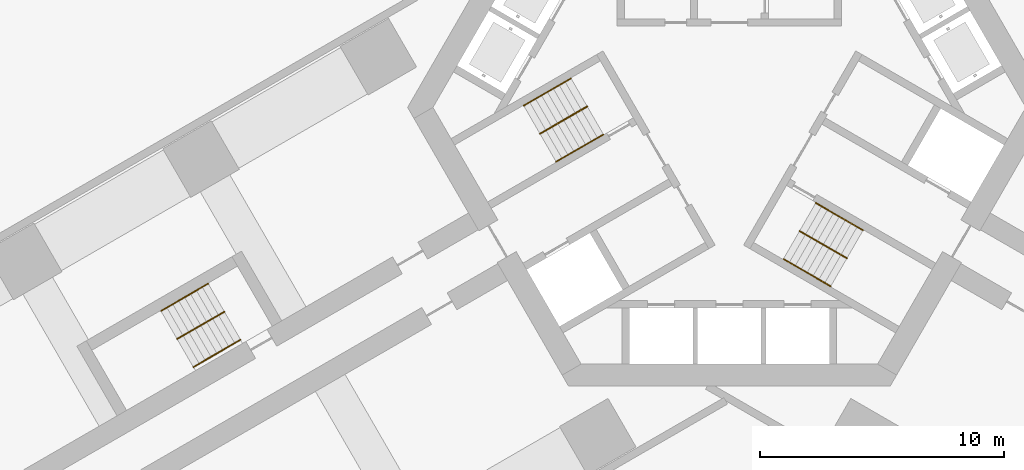
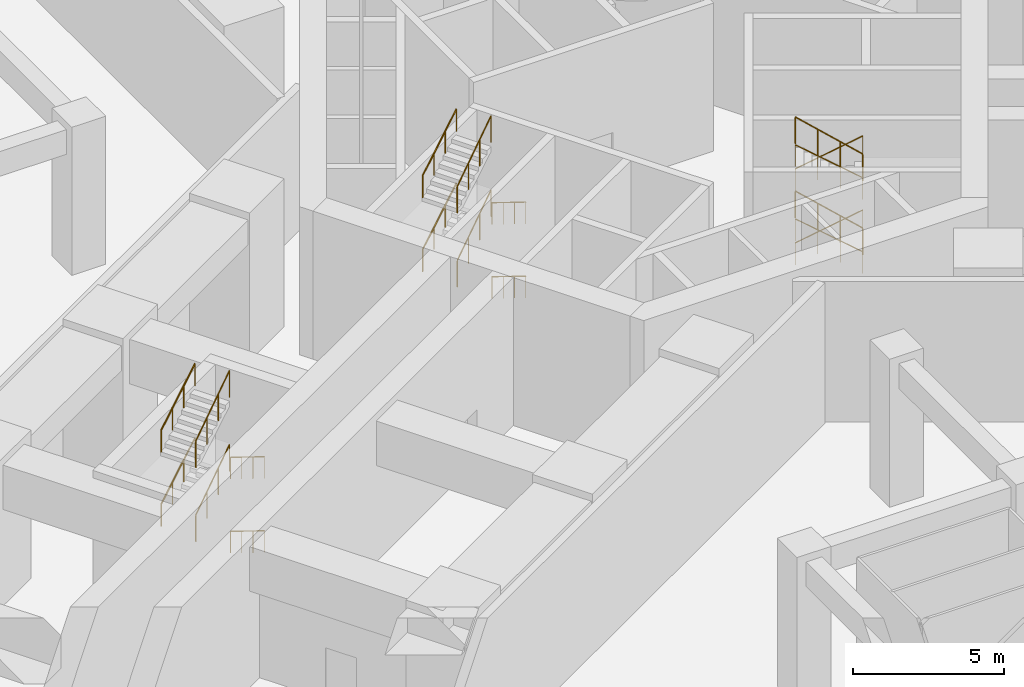
# One storey, part 17 of 33: 18 railings.
"""IFC4 building model written with IfcOpenShell, lengths in metres."""

import ifcopenshell
import ifcopenshell.guid

model = None  # the IFC model being written
_history = None  # IfcOwnerHistory: only IFC2X3 demands one
_inside = {}  # id of a spatial element -> (the spatial element, [elements in it])
_under = {}  # id of a project, library or spatial element -> (it, [spatial elements below it])
_declared = {}  # id of a project -> (the project, [libraries it declares])
_typed = {}  # id of a type object -> (the type object, [elements of that type])
_made_of = {}  # id of a material, layer set ... -> (it, [elements and type objects made of it])


def new_model(schema):
    """Start an empty IFC model of exactly this schema.

    Asked for "IFC4X3", IfcOpenShell would pick the latest addendum, in which some entities
    have other attributes; the version numbers below select the first issue.
    IFC2X3 requires an IfcOwnerHistory on every rooted entity: one is made here for all.
    """
    global model, _history
    if schema == "IFC4X3":
        model = ifcopenshell.file(schema_version=(4, 3, 0, 0))
    else:
        model = ifcopenshell.file(schema=schema)
    _inside.clear()
    _under.clear()
    _declared.clear()
    _typed.clear()
    _made_of.clear()
    _history = None
    if model.schema == "IFC2X3":
        org = make("IfcOrganization", Name="unknown")
        user = make(
            "IfcPersonAndOrganization",
            ThePerson=make("IfcPerson", FamilyName="unknown"),
            TheOrganization=org,
        )
        app = make(
            "IfcApplication",
            ApplicationDeveloper=org,
            Version="unknown",
            ApplicationFullName="unknown",
            ApplicationIdentifier="unknown",
        )
        _history = make(
            "IfcOwnerHistory",
            OwningUser=user,
            OwningApplication=app,
            ChangeAction="ADDED",
            CreationDate=0,
        )
    return model


def make(cls, **values):
    """One entity of the class cls with the attributes given. An attribute that is None is left unset."""
    return model.create_entity(
        cls, **{name: value for name, value in values.items() if value is not None}
    )


def rooted(cls, **values):
    """An entity with a GlobalId (a new one), such as an element, a storey or a relation."""
    return make(cls, GlobalId=ifcopenshell.guid.new(), OwnerHistory=_history, **values)


def si_unit(unit_type, name, prefix=None):
    """IfcSIUnit, for example si_unit("LENGTHUNIT", "METRE", prefix="MILLI")."""
    return make("IfcSIUnit", UnitType=unit_type, Prefix=prefix, Name=name)


def assignment(units):
    """IfcUnitAssignment: the units of a project."""
    return None if units is None else make("IfcUnitAssignment", Units=units)


def point(xyz):
    """IfcCartesianPoint."""
    return None if xyz is None else make("IfcCartesianPoint", Coordinates=xyz)


def direction(xyz):
    """IfcDirection."""
    return None if xyz is None else make("IfcDirection", DirectionRatios=xyz)


def frame(location, z_axis=None, x_axis=None):
    """IfcAxis2Placement3D, a coordinate frame: its origin and axes. An axis left out is left unset."""
    return make(
        "IfcAxis2Placement3D",
        Location=point(location),
        Axis=direction(z_axis),
        RefDirection=direction(x_axis),
    )


def frame_2d(location, x_axis=None):
    """IfcAxis2Placement2D, a coordinate frame in the plane: its origin and x axis."""
    return make(
        "IfcAxis2Placement2D", Location=point(location), RefDirection=direction(x_axis)
    )


def origin():
    """The frame at (0, 0, 0) with its axes left unset."""
    return frame((0.0, 0.0, 0.0))


def origin_2d():
    """The frame at (0, 0) in the plane with its x axis left unset."""
    return frame_2d((0.0, 0.0))


def place(relative_to, where):
    """IfcLocalPlacement: puts the frame where relative to a parent placement (None: the world)."""
    return make(
        "IfcLocalPlacement", PlacementRelTo=relative_to, RelativePlacement=where
    )


def context(
    kind, dimensions, precision=None, world=None, true_north=None, identifier=None
):
    """IfcGeometricRepresentationContext, for example the 3D "Model" context."""
    return make(
        "IfcGeometricRepresentationContext",
        ContextIdentifier=identifier,
        ContextType=kind,
        CoordinateSpaceDimension=dimensions,
        Precision=precision,
        WorldCoordinateSystem=world,
        TrueNorth=true_north,
    )


def subcontext(parent, identifier, kind, view, scale=None):
    """IfcGeometricRepresentationSubContext, for example "Body" below "Model"."""
    return make(
        "IfcGeometricRepresentationSubContext",
        ContextIdentifier=identifier,
        ContextType=kind,
        ParentContext=parent,
        TargetScale=scale,
        TargetView=view,
    )


def project(units=None, contexts=None):
    """IfcProject with its units and contexts."""
    return rooted(
        "IfcProject",
        Name="project",
        RepresentationContexts=contexts,
        UnitsInContext=assignment(units),
    )


def spatial(cls, under=None, at=None, **own):
    """A site, building, storey or space (cls), placed at a placement, below another one or the project."""
    s = rooted(cls, ObjectPlacement=at, **own)
    if under is not None:
        _under.setdefault(under.id(), (under, []))[1].append(s)
    return s


def profile(cls, at=None, kind="AREA", **sizes):
    """A parametric profile (cls). Its sizes go by their IFC names, for example OverallWidth=200.0."""
    return make(cls, ProfileType=kind, Position=at, **sizes)


def circle(**sizes):
    """IfcCircleProfileDef."""
    return profile("IfcCircleProfileDef", **sizes)


def extrude(swept, where, along, depth):
    """IfcExtrudedAreaSolid: the profile swept, set in the frame where, extruded along a direction by depth."""
    return make(
        "IfcExtrudedAreaSolid",
        SweptArea=swept,
        Position=where,
        ExtrudedDirection=direction(along),
        Depth=depth,
    )


def shape(context_of_items, identifier, shape_type, items):
    """IfcShapeRepresentation: the items that make up one representation, for example the "Body"."""
    return make(
        "IfcShapeRepresentation",
        ContextOfItems=context_of_items,
        RepresentationIdentifier=identifier,
        RepresentationType=shape_type,
        Items=items,
    )


def material(Name=None, Category=None):
    """IfcMaterial."""
    return make("IfcMaterial", Name=Name, Category=Category)


def made_of(thing, what):
    """Note that an element or type object is made of a material, layer set ...; save() writes the relation."""
    if what is not None:
        _made_of.setdefault(what.id(), (what, []))[1].append(thing)
    return thing


def type_object(cls, material=None, **own):
    """A type object (cls), such as IfcWallType, which elements share."""
    return made_of(rooted(cls, **own), material)


def element(
    cls,
    number,
    at=None,
    inside=None,
    cuts=None,
    type_object=None,
    material=None,
    context=None,
    identifier="Body",
    shape_type=None,
    held_by="IfcProductDefinitionShape",
    body=None,
    shapes=None,
    **own,
):
    """One element of the class cls, such as IfcWall. Its Tag is "e" and its number.

    at: its placement. inside: the storey or other place that contains it. cuts: it is an
    opening in that element (IfcRelVoidsElement). A single representation is given by context,
    identifier, shape_type and body (its items); several are given by shapes. held_by: the class
    of the entity that holds the representations. save() writes the other relations.
    """
    e = rooted(cls, Tag="e%d" % number, ObjectPlacement=at, **own)
    if body is not None:
        shapes = [shape(context, identifier, shape_type, body)]
    if shapes is not None:
        e.Representation = make(held_by, Representations=shapes)
    if inside is not None:
        _inside.setdefault(inside.id(), (inside, []))[1].append(e)
    if cuts is not None:
        rooted(
            "IfcRelVoidsElement", RelatingBuildingElement=cuts, RelatedOpeningElement=e
        )
    if type_object is not None:
        _typed.setdefault(type_object.id(), (type_object, []))[1].append(e)
    return made_of(e, material)


def aggregate(whole, parts):
    """IfcRelAggregates: a whole, such as a stair, and the parts it consists of."""
    return rooted("IfcRelAggregates", RelatingObject=whole, RelatedObjects=parts)


def save(model, path):
    """Write the relations noted so far, then the file.

    IfcRelAggregates (storeys below a building ...), IfcRelContainedInSpatialStructure (elements
    in a storey), IfcRelDefinesByType, IfcRelAssociatesMaterial and IfcRelDeclares: one each for
    every whole, place, type object, material and project.
    """
    for whole, parts in _under.values():
        aggregate(whole, parts)
    for where, things in _inside.values():
        rooted(
            "IfcRelContainedInSpatialStructure",
            RelatedElements=things,
            RelatingStructure=where,
        )
    for kind, things in _typed.values():
        rooted("IfcRelDefinesByType", RelatedObjects=things, RelatingType=kind)
    for what, things in _made_of.values():
        rooted("IfcRelAssociatesMaterial", RelatedObjects=things, RelatingMaterial=what)
    for by, libraries in _declared.values():
        rooted("IfcRelDeclares", RelatingContext=by, RelatedDefinitions=libraries)
    model.write(path)


model = new_model("IFC4")

# Units and contexts
model_context = context("Model", 3, precision=1e-05, world=origin(), true_north=direction((0.0, 1.0)))
body_context = subcontext(model_context, "Body", "Model", "MODEL_VIEW")
ifc_project = project(units=[si_unit("LENGTHUNIT", "METRE"), si_unit("AREAUNIT", "SQUARE_METRE"), si_unit("VOLUMEUNIT", "CUBIC_METRE"), si_unit("PLANEANGLEUNIT", "RADIAN"), si_unit("MASSUNIT", "GRAM", prefix="KILO")], contexts=[model_context])

# Site, building, storey
site_placement = place(None, origin())
site = spatial("IfcSite", under=ifc_project, at=site_placement, CompositionType="ELEMENT")
building_placement = place(site_placement, origin())
building = spatial("IfcBuilding", under=site, at=building_placement, Name="Impinga Residences", CompositionType="ELEMENT")
storey_placement = place(building_placement, origin())
storey = spatial("IfcBuildingStorey", under=building, at=storey_placement, Name="L00", CompositionType="ELEMENT", Elevation=0.0)

# Railings
ifc_material_1 = material(Name="Steel guard, powder coated", Category="steel")
railing_type_1 = type_object("IfcRailingType", Name="GR1 stair guard 1100", PredefinedType="GUARDRAIL", material=ifc_material_1)
for number, where, name in (
    (1, (-7.77099609375, -1.080322265625, 1.5), "Stair guard GR1 ST2 L00"),
    (2, (-7.77099609375, -1.080322265625, 4.5), "Stair guard GR1 ST2 L00"),
):
    element("IfcRailing", number, at=place(storey_placement, frame(where)), inside=storey, type_object=railing_type_1, Name=name, PredefinedType="GUARDRAIL", context=body_context, shape_type="SweptSolid", body=[
        extrude(circle(Radius=0.02392578125, at=origin_2d()), frame((0.0, 0.0, 1.076171875), z_axis=(0.719581687532, 0.415484618978, 0.556394398212), x_axis=(-0.500030632641, 0.866007717299, 0.0)), (0.0, 0.0, 1.0), 2.696044921875),
        extrude(circle(Radius=0.02099609375, at=origin_2d()), origin(), (0.0, 0.0, 1.0), 1.052001953125),
        extrude(circle(Radius=0.02099609375, at=origin_2d()), frame((0.646728515625, 0.373291015625, 0.5)), (0.0, 0.0, 1.0), 1.052001953125),
        extrude(circle(Radius=0.02099609375, at=origin_2d()), frame((1.293212890625, 0.746826171875, 1.0)), (0.0, 0.0, 1.0), 1.052001953125),
        extrude(circle(Radius=0.02099609375, at=origin_2d()), frame((1.93994140625, 1.1201171875, 1.5)), (0.0, 0.0, 1.0), 1.052001953125),
    ])
for number, where, name in (
    (3, (4.821044921875, -6.189697265625, 1.5), "Stair guard GR1 ST3 L00"),
    (4, (4.821044921875, -6.189697265625, 4.5), "Stair guard GR1 ST3 L00"),
):
    element("IfcRailing", number, at=place(storey_placement, frame(where)), inside=storey, type_object=railing_type_1, Name=name, PredefinedType="GUARDRAIL", context=body_context, shape_type="SweptSolid", body=[
        extrude(circle(Radius=0.02392578125, at=origin_2d()), frame((0.0, 0.0, 1.076171875), z_axis=(-0.719608760992, 0.415409688733, 0.556415331933), x_axis=(-0.49994888933, -0.866054910533, 0.0)), (0.0, 0.0, 1.0), 2.69580078125),
        extrude(circle(Radius=0.02099609375, at=origin_2d()), origin(), (0.0, 0.0, 1.0), 1.052001953125),
        extrude(circle(Radius=0.02099609375, at=origin_2d()), frame((-0.646728515625, 0.373291015625, 0.5)), (0.0, 0.0, 1.0), 1.052001953125),
        extrude(circle(Radius=0.02099609375, at=origin_2d()), frame((-1.293212890625, 0.74658203125, 1.0)), (0.0, 0.0, 1.0), 1.052001953125),
        extrude(circle(Radius=0.02099609375, at=origin_2d()), frame((-1.93994140625, 1.119873046875, 1.5)), (0.0, 0.0, 1.0), 1.052001953125),
    ])
for number, where, name in (
    (5, (-22.65625, -9.5009765625, 1.5), "Stair guard GR1 WS2 L00"),
    (6, (-22.65625, -9.5009765625, 4.5), "Stair guard GR1 WS2 L00"),
):
    element("IfcRailing", number, at=place(storey_placement, frame(where)), inside=storey, type_object=railing_type_1, Name=name, PredefinedType="GUARDRAIL", context=body_context, shape_type="SweptSolid", body=[
        extrude(circle(Radius=0.02392578125, at=origin_2d()), frame((0.0, 0.0, 1.076171875), z_axis=(0.719565090868, 0.415436761713, 0.556451594499), x_axis=(-0.49999608499, 0.866027664105, 0.0)), (0.0, 0.0, 1.0), 2.695556640625),
        extrude(circle(Radius=0.02099609375, at=origin_2d()), origin(), (0.0, 0.0, 1.0), 1.052001953125),
        extrude(circle(Radius=0.02099609375, at=origin_2d()), frame((0.646484375, 0.373291015625, 0.5)), (0.0, 0.0, 1.0), 1.052001953125),
        extrude(circle(Radius=0.02099609375, at=origin_2d()), frame((1.293212890625, 0.74658203125, 1.0)), (0.0, 0.0, 1.0), 1.052001953125),
        extrude(circle(Radius=0.02099609375, at=origin_2d()), frame((1.939697265625, 1.119873046875, 1.5)), (0.0, 0.0, 1.0), 1.052001953125),
    ])
ifc_material_2 = material(Name="Steel handrail tube 42 mm, powder coated", Category="steel")
railing_type_2 = type_object("IfcRailingType", Name="HR1 stair handrail, 42 mm steel tube, 900 above the pitch line", PredefinedType="HANDRAIL", material=ifc_material_2)
railing_1_placement = place(storey_placement, frame((-5.16650390625, -1.111083984375, 0.166748046875)))
element("IfcRailing", 7, at=railing_1_placement, inside=storey, type_object=railing_type_2, Name="Stair handrail HR1 ST2 L00", PredefinedType="HANDRAIL", context=body_context, shape_type="SweptSolid", body=[
    extrude(circle(Radius=0.02099609375, at=origin_2d()), frame((0.0, 0.0, 0.87890625), z_axis=(-0.744174592847, -0.429684499369, 0.511444431354), x_axis=(0.500030632641, -0.866007717299, 0.0)), (0.0, 0.0, 1.0), 2.60693359375),
    extrude(circle(Radius=0.012451171875, at=origin_2d()), origin(), (0.0, 0.0, 1.0), 0.85791015625),
    extrude(circle(Radius=0.012451171875, at=origin_2d()), frame((-0.646728515625, -0.373291015625, 0.4443359375)), (0.0, 0.0, 1.0), 0.85791015625),
    extrude(circle(Radius=0.012451171875, at=origin_2d()), frame((-1.293212890625, -0.746826171875, 0.888916015625)), (0.0, 0.0, 1.0), 0.85791015625),
    extrude(circle(Radius=0.012451171875, at=origin_2d()), frame((-1.93994140625, -1.1201171875, 1.333251953125)), (0.0, 0.0, 1.0), 0.85791015625),
])
railing_2_placement = place(storey_placement, frame((-8.435546875, 0.07080078125, 1.666748046875)))
element("IfcRailing", 8, at=railing_2_placement, inside=storey, type_object=railing_type_2, Name="Stair handrail HR1 ST2 L00", PredefinedType="HANDRAIL", context=body_context, shape_type="SweptSolid", body=[
    extrude(circle(Radius=0.02099609375, at=origin_2d()), frame((0.0, 0.0, 0.87890625), z_axis=(0.744204538217, 0.429608131991, 0.51146501173), x_axis=(-0.49994888933, 0.866054910533, 0.0)), (0.0, 0.0, 1.0), 2.606689453125),
    extrude(circle(Radius=0.012451171875, at=origin_2d()), origin(), (0.0, 0.0, 1.0), 0.85791015625),
    extrude(circle(Radius=0.012451171875, at=origin_2d()), frame((0.646728515625, 0.373291015625, 0.4443359375)), (0.0, 0.0, 1.0), 0.85791015625),
    extrude(circle(Radius=0.012451171875, at=origin_2d()), frame((1.293212890625, 0.74658203125, 0.888916015625)), (0.0, 0.0, 1.0), 0.85791015625),
    extrude(circle(Radius=0.012451171875, at=origin_2d()), frame((1.93994140625, 1.119873046875, 1.333251953125)), (0.0, 0.0, 1.0), 0.85791015625),
])
railing_3_placement = place(storey_placement, frame((-5.16650390625, -1.111083984375, 3.166748046875)))
element("IfcRailing", 9, at=railing_3_placement, inside=storey, type_object=railing_type_2, Name="Stair handrail HR1 ST2 L00", PredefinedType="HANDRAIL", context=body_context, shape_type="SweptSolid", body=[
    extrude(circle(Radius=0.02099609375, at=origin_2d()), frame((0.0, 0.0, 0.87890625), z_axis=(-0.744174592847, -0.429684499369, 0.511444431354), x_axis=(0.500030632641, -0.866007717299, 0.0)), (0.0, 0.0, 1.0), 2.60693359375),
    extrude(circle(Radius=0.012451171875, at=origin_2d()), origin(), (0.0, 0.0, 1.0), 0.85791015625),
    extrude(circle(Radius=0.012451171875, at=origin_2d()), frame((-0.646728515625, -0.373291015625, 0.4443359375)), (0.0, 0.0, 1.0), 0.85791015625),
    extrude(circle(Radius=0.012451171875, at=origin_2d()), frame((-1.293212890625, -0.746826171875, 0.888916015625)), (0.0, 0.0, 1.0), 0.85791015625),
    extrude(circle(Radius=0.012451171875, at=origin_2d()), frame((-1.93994140625, -1.1201171875, 1.333251953125)), (0.0, 0.0, 1.0), 0.85791015625),
])
railing_4_placement = place(storey_placement, frame((-8.435546875, 0.07080078125, 4.666748046875)))
element("IfcRailing", 10, at=railing_4_placement, inside=storey, type_object=railing_type_2, Name="Stair handrail HR1 ST2 L00", PredefinedType="HANDRAIL", context=body_context, shape_type="SweptSolid", body=[
    extrude(circle(Radius=0.02099609375, at=origin_2d()), frame((0.0, 0.0, 0.87890625), z_axis=(0.744204538217, 0.429608131991, 0.51146501173), x_axis=(-0.49994888933, 0.866054910533, 0.0)), (0.0, 0.0, 1.0), 2.606689453125),
    extrude(circle(Radius=0.012451171875, at=origin_2d()), origin(), (0.0, 0.0, 1.0), 0.85791015625),
    extrude(circle(Radius=0.012451171875, at=origin_2d()), frame((0.646728515625, 0.373291015625, 0.4443359375)), (0.0, 0.0, 1.0), 0.85791015625),
    extrude(circle(Radius=0.012451171875, at=origin_2d()), frame((1.293212890625, 0.74658203125, 0.888916015625)), (0.0, 0.0, 1.0), 0.85791015625),
    extrude(circle(Radius=0.012451171875, at=origin_2d()), frame((1.93994140625, 1.119873046875, 1.333251953125)), (0.0, 0.0, 1.0), 0.85791015625),
])
railing_5_placement = place(storey_placement, frame((3.545654296875, -3.9189453125, 0.166748046875)))
element("IfcRailing", 11, at=railing_5_placement, inside=storey, type_object=railing_type_2, Name="Stair handrail HR1 ST3 L00", PredefinedType="HANDRAIL", context=body_context, shape_type="SweptSolid", body=[
    extrude(circle(Radius=0.02099609375, at=origin_2d()), frame((0.0, 0.0, 0.87890625), z_axis=(0.744204538217, -0.429608131991, 0.51146501173), x_axis=(0.49994888933, 0.866054910533, 0.0)), (0.0, 0.0, 1.0), 2.606689453125),
    extrude(circle(Radius=0.012451171875, at=origin_2d()), origin(), (0.0, 0.0, 1.0), 0.85791015625),
    extrude(circle(Radius=0.012451171875, at=origin_2d()), frame((0.646728515625, -0.373291015625, 0.4443359375)), (0.0, 0.0, 1.0), 0.85791015625),
    extrude(circle(Radius=0.012451171875, at=origin_2d()), frame((1.293212890625, -0.74658203125, 0.888916015625)), (0.0, 0.0, 1.0), 0.85791015625),
    extrude(circle(Radius=0.012451171875, at=origin_2d()), frame((1.93994140625, -1.119873046875, 1.333251953125)), (0.0, 0.0, 1.0), 0.85791015625),
])
railing_6_placement = place(storey_placement, frame((4.156494140625, -7.3408203125, 1.666748046875)))
element("IfcRailing", 12, at=railing_6_placement, inside=storey, type_object=railing_type_2, Name="Stair handrail HR1 ST3 L00", PredefinedType="HANDRAIL", context=body_context, shape_type="SweptSolid", body=[
    extrude(circle(Radius=0.02099609375, at=origin_2d()), frame((0.0, 0.0, 0.87890625), z_axis=(-0.744174592847, 0.429684499369, 0.511444431354), x_axis=(-0.500030632641, -0.866007717299, 0.0)), (0.0, 0.0, 1.0), 2.60693359375),
    extrude(circle(Radius=0.012451171875, at=origin_2d()), origin(), (0.0, 0.0, 1.0), 0.85791015625),
    extrude(circle(Radius=0.012451171875, at=origin_2d()), frame((-0.646728515625, 0.373291015625, 0.4443359375)), (0.0, 0.0, 1.0), 0.85791015625),
    extrude(circle(Radius=0.012451171875, at=origin_2d()), frame((-1.293212890625, 0.746826171875, 0.888916015625)), (0.0, 0.0, 1.0), 0.85791015625),
    extrude(circle(Radius=0.012451171875, at=origin_2d()), frame((-1.93994140625, 1.1201171875, 1.333251953125)), (0.0, 0.0, 1.0), 0.85791015625),
])
railing_7_placement = place(storey_placement, frame((3.545654296875, -3.9189453125, 3.166748046875)))
element("IfcRailing", 13, at=railing_7_placement, inside=storey, type_object=railing_type_2, Name="Stair handrail HR1 ST3 L00", PredefinedType="HANDRAIL", context=body_context, shape_type="SweptSolid", body=[
    extrude(circle(Radius=0.02099609375, at=origin_2d()), frame((0.0, 0.0, 0.87890625), z_axis=(0.744204538217, -0.429608131991, 0.51146501173), x_axis=(0.49994888933, 0.866054910533, 0.0)), (0.0, 0.0, 1.0), 2.606689453125),
    extrude(circle(Radius=0.012451171875, at=origin_2d()), origin(), (0.0, 0.0, 1.0), 0.85791015625),
    extrude(circle(Radius=0.012451171875, at=origin_2d()), frame((0.646728515625, -0.373291015625, 0.4443359375)), (0.0, 0.0, 1.0), 0.85791015625),
    extrude(circle(Radius=0.012451171875, at=origin_2d()), frame((1.293212890625, -0.74658203125, 0.888916015625)), (0.0, 0.0, 1.0), 0.85791015625),
    extrude(circle(Radius=0.012451171875, at=origin_2d()), frame((1.93994140625, -1.119873046875, 1.333251953125)), (0.0, 0.0, 1.0), 0.85791015625),
])
railing_8_placement = place(storey_placement, frame((4.156494140625, -7.3408203125, 4.666748046875)))
element("IfcRailing", 14, at=railing_8_placement, inside=storey, type_object=railing_type_2, Name="Stair handrail HR1 ST3 L00", PredefinedType="HANDRAIL", context=body_context, shape_type="SweptSolid", body=[
    extrude(circle(Radius=0.02099609375, at=origin_2d()), frame((0.0, 0.0, 0.87890625), z_axis=(-0.744174592847, 0.429684499369, 0.511444431354), x_axis=(-0.500030632641, -0.866007717299, 0.0)), (0.0, 0.0, 1.0), 2.60693359375),
    extrude(circle(Radius=0.012451171875, at=origin_2d()), origin(), (0.0, 0.0, 1.0), 0.85791015625),
    extrude(circle(Radius=0.012451171875, at=origin_2d()), frame((-0.646728515625, 0.373291015625, 0.4443359375)), (0.0, 0.0, 1.0), 0.85791015625),
    extrude(circle(Radius=0.012451171875, at=origin_2d()), frame((-1.293212890625, 0.746826171875, 0.888916015625)), (0.0, 0.0, 1.0), 0.85791015625),
    extrude(circle(Radius=0.012451171875, at=origin_2d()), frame((-1.93994140625, 1.1201171875, 1.333251953125)), (0.0, 0.0, 1.0), 0.85791015625),
])
railing_9_placement = place(storey_placement, frame((-20.052001953125, -9.531982421875, 0.166748046875)))
element("IfcRailing", 15, at=railing_9_placement, inside=storey, type_object=railing_type_2, Name="Stair handrail HR1 WS2 L00", PredefinedType="HANDRAIL", context=body_context, shape_type="SweptSolid", body=[
    extrude(circle(Radius=0.02099609375, at=origin_2d()), frame((0.0, 0.0, 0.87890625), z_axis=(-0.744174592847, -0.429684499369, 0.511444431354), x_axis=(0.500030632641, -0.866007717299, 0.0)), (0.0, 0.0, 1.0), 2.60693359375),
    extrude(circle(Radius=0.012451171875, at=origin_2d()), origin(), (0.0, 0.0, 1.0), 0.85791015625),
    extrude(circle(Radius=0.012451171875, at=origin_2d()), frame((-0.646728515625, -0.373291015625, 0.4443359375)), (0.0, 0.0, 1.0), 0.85791015625),
    extrude(circle(Radius=0.012451171875, at=origin_2d()), frame((-1.293212890625, -0.746826171875, 0.888916015625)), (0.0, 0.0, 1.0), 0.85791015625),
    extrude(circle(Radius=0.012451171875, at=origin_2d()), frame((-1.93994140625, -1.1201171875, 1.333251953125)), (0.0, 0.0, 1.0), 0.85791015625),
])
railing_10_placement = place(storey_placement, frame((-23.32080078125, -8.35009765625, 1.666748046875)))
element("IfcRailing", 16, at=railing_10_placement, inside=storey, type_object=railing_type_2, Name="Stair handrail HR1 WS2 L00", PredefinedType="HANDRAIL", context=body_context, shape_type="SweptSolid", body=[
    extrude(circle(Radius=0.02099609375, at=origin_2d()), frame((0.0, 0.0, 0.87890625), z_axis=(0.744204538217, 0.429608131991, 0.51146501173), x_axis=(-0.49994888933, 0.866054910533, 0.0)), (0.0, 0.0, 1.0), 2.606689453125),
    extrude(circle(Radius=0.012451171875, at=origin_2d()), origin(), (0.0, 0.0, 1.0), 0.85791015625),
    extrude(circle(Radius=0.012451171875, at=origin_2d()), frame((0.646728515625, 0.373291015625, 0.4443359375)), (0.0, 0.0, 1.0), 0.85791015625),
    extrude(circle(Radius=0.012451171875, at=origin_2d()), frame((1.293212890625, 0.74658203125, 0.888916015625)), (0.0, 0.0, 1.0), 0.85791015625),
    extrude(circle(Radius=0.012451171875, at=origin_2d()), frame((1.93994140625, 1.119873046875, 1.333251953125)), (0.0, 0.0, 1.0), 0.85791015625),
])
railing_11_placement = place(storey_placement, frame((-20.052001953125, -9.531982421875, 3.166748046875)))
element("IfcRailing", 17, at=railing_11_placement, inside=storey, type_object=railing_type_2, Name="Stair handrail HR1 WS2 L00", PredefinedType="HANDRAIL", context=body_context, shape_type="SweptSolid", body=[
    extrude(circle(Radius=0.02099609375, at=origin_2d()), frame((0.0, 0.0, 0.87890625), z_axis=(-0.744174592847, -0.429684499369, 0.511444431354), x_axis=(0.500030632641, -0.866007717299, 0.0)), (0.0, 0.0, 1.0), 2.60693359375),
    extrude(circle(Radius=0.012451171875, at=origin_2d()), origin(), (0.0, 0.0, 1.0), 0.85791015625),
    extrude(circle(Radius=0.012451171875, at=origin_2d()), frame((-0.646728515625, -0.373291015625, 0.4443359375)), (0.0, 0.0, 1.0), 0.85791015625),
    extrude(circle(Radius=0.012451171875, at=origin_2d()), frame((-1.293212890625, -0.746826171875, 0.888916015625)), (0.0, 0.0, 1.0), 0.85791015625),
    extrude(circle(Radius=0.012451171875, at=origin_2d()), frame((-1.93994140625, -1.1201171875, 1.333251953125)), (0.0, 0.0, 1.0), 0.85791015625),
])
railing_12_placement = place(storey_placement, frame((-23.32080078125, -8.35009765625, 4.666748046875)))
element("IfcRailing", 18, at=railing_12_placement, inside=storey, type_object=railing_type_2, Name="Stair handrail HR1 WS2 L00", PredefinedType="HANDRAIL", context=body_context, shape_type="SweptSolid", body=[
    extrude(circle(Radius=0.02099609375, at=origin_2d()), frame((0.0, 0.0, 0.87890625), z_axis=(0.744204538217, 0.429608131991, 0.51146501173), x_axis=(-0.49994888933, 0.866054910533, 0.0)), (0.0, 0.0, 1.0), 2.606689453125),
    extrude(circle(Radius=0.012451171875, at=origin_2d()), origin(), (0.0, 0.0, 1.0), 0.85791015625),
    extrude(circle(Radius=0.012451171875, at=origin_2d()), frame((0.646728515625, 0.373291015625, 0.4443359375)), (0.0, 0.0, 1.0), 0.85791015625),
    extrude(circle(Radius=0.012451171875, at=origin_2d()), frame((1.293212890625, 0.74658203125, 0.888916015625)), (0.0, 0.0, 1.0), 0.85791015625),
    extrude(circle(Radius=0.012451171875, at=origin_2d()), frame((1.93994140625, 1.119873046875, 1.333251953125)), (0.0, 0.0, 1.0), 0.85791015625),
])

save(model, "model.ifc")
